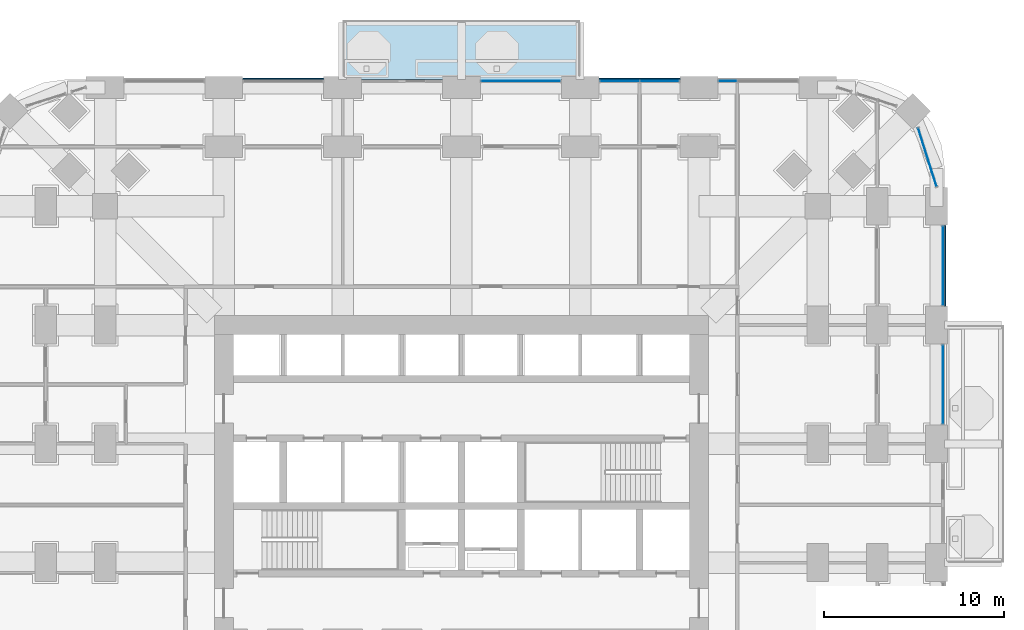
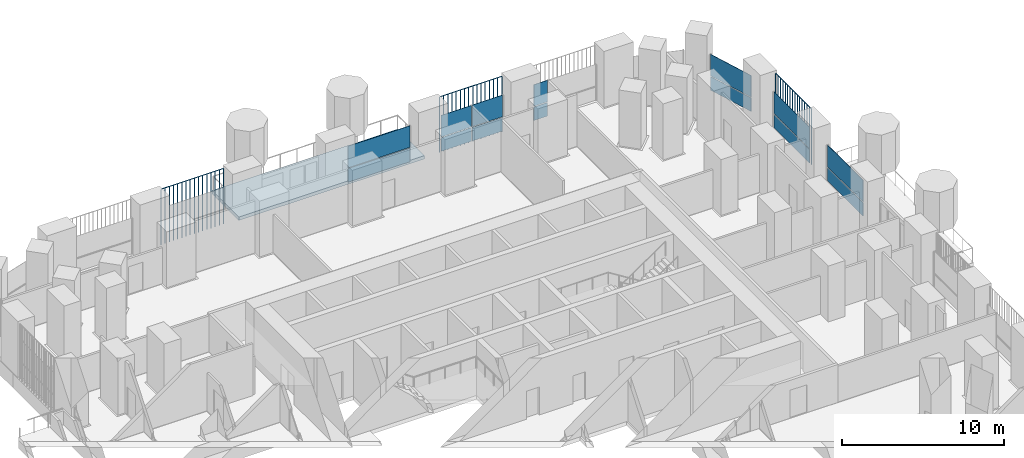
# One storey, part 15 of 26: 17 plates, 1 slab, 6 elements without a shape of their own.
"""IFC4 building model written with IfcOpenShell, lengths in metres."""

from ifc_helpers import new_model, si_unit, direction, frame, origin, origin_2d, place, context, subcontext, project, spatial, polyline, rectangle, outline, extrude, material, layer, layer_set, type_object, element, aggregate, save


model = new_model("IFC4")

# Units and contexts
model_context = context("Model", 3, precision=1e-05, world=origin(), true_north=direction((0.0, 1.0)))
body_context = subcontext(model_context, "Body", "Model", "MODEL_VIEW")
ifc_project = project(units=[si_unit("LENGTHUNIT", "METRE"), si_unit("AREAUNIT", "SQUARE_METRE"), si_unit("VOLUMEUNIT", "CUBIC_METRE"), si_unit("PLANEANGLEUNIT", "RADIAN"), si_unit("MASSUNIT", "GRAM", prefix="KILO")], contexts=[model_context])

# Site, building, storey
site_placement = place(None, origin())
site = spatial("IfcSite", under=ifc_project, at=site_placement, CompositionType="ELEMENT")
building_placement = place(site_placement, origin())
building = spatial("IfcBuilding", under=site, at=building_placement, Name="Cobogo Forest Laboratory Tower", CompositionType="ELEMENT")
storey_placement = place(building_placement, frame((0.0, 0.0, 42.300048828125)))
storey = spatial("IfcBuildingStorey", under=building, at=storey_placement, Name="L09", CompositionType="ELEMENT", Elevation=42.300048828125)

# Slab
ifc_material_1 = material(Name="Concrete HA-40 (C40/50)", Category="concrete")
ifc_layer_1 = layer(ifc_material_1, 0.25)
ifc_layer_set_1 = layer_set([ifc_layer_1], Name="Balcony slab 250")
slab_type = type_object("IfcSlabType", Name="Balcony slab 250", PredefinedType="FLOOR", material=ifc_layer_set_1)
slab_placement = place(storey_placement, frame((0.0, 0.0, -0.25)))
element("IfcSlab", 1, at=slab_placement, inside=storey, type_object=slab_type, Name="Balcony BAL-N1 L09", PredefinedType="FLOOR", context=body_context, shape_type="SweptSolid", body=[
    extrude(outline(polyline([(19.800048828125, 46.64990234375), (33.0, 46.64990234375), (33.0, 49.949951171875), (19.800048828125, 49.949951171875), (19.800048828125, 46.64990234375)])), origin(), (0.0, 0.0, 1.0), 0.25),
])

# Curtain wall, plates
ifc_material_2 = material(Name="Aluminium curtain wall", Category="aluminium")
curtain_wall_type = type_object("IfcCurtainWallType", Name="CW-1 unitised curtain wall, clear glazing, laboratory floors zones A and B", PredefinedType="USERDEFINED", material=ifc_material_2)
curtain_wall_1_placement = place(storey_placement, origin())
curtain_wall_1 = element("IfcCurtainWall", 2, at=curtain_wall_1_placement, inside=storey, type_object=curtain_wall_type, Name="Curtain wall 13 L09", ObjectType="UNITISED CURTAIN WALL", PredefinedType="USERDEFINED")
ifc_material_3 = material(Name="Clear insulated glass", Category="glass")
ifc_layer_2 = layer(ifc_material_3, 0.028076171875)
ifc_layer_set_2 = layer_set([ifc_layer_2], Name="GP-1 clear insulated glass unit 28")
plate_type_1 = type_object("IfcPlateType", Name="GP-1 clear insulated glass unit 28", PredefinedType="CURTAIN_PANEL", material=ifc_layer_set_2)
plate_1_placement = place(storey_placement, frame((53.14990234375, 29.699951171875, 0.0), z_axis=(0.0, 0.0, 1.0), x_axis=(0.0, 1.0, 0.0)))
plate_1 = element("IfcPlate", 3, at=plate_1_placement, type_object=plate_type_1, Name="CW-1 panel 1.1", PredefinedType="CURTAIN_PANEL", context=body_context, shape_type="SweptSolid", body=[
    extrude(rectangle(XDim=4.3798828125, YDim=0.028076171875, at=origin_2d()), origin(), (0.0, 0.0, 1.0), 1.02001953125),
])
plate_2_placement = place(storey_placement, frame((53.14990234375, 29.699951171875, 1.079833984375), z_axis=(0.0, 0.0, 1.0), x_axis=(0.0, 1.0, 0.0)))
plate_2 = element("IfcPlate", 4, at=plate_2_placement, type_object=plate_type_1, Name="CW-1 panel 1.2", PredefinedType="CURTAIN_PANEL", context=body_context, shape_type="SweptSolid", body=[
    extrude(rectangle(XDim=4.3798828125, YDim=0.028076171875, at=origin_2d()), origin(), (0.0, 0.0, 1.0), 1.6201171875),
])
aggregate(curtain_wall_1, [plate_1, plate_2])

curtain_wall_2_placement = place(storey_placement, origin())
curtain_wall_2 = element("IfcCurtainWall", 5, at=curtain_wall_2_placement, inside=storey, type_object=curtain_wall_type, Name="Curtain wall 14 L09", ObjectType="UNITISED CURTAIN WALL", PredefinedType="USERDEFINED")
plate_3_placement = place(storey_placement, frame((53.14990234375, 36.300048828125, 0.0), z_axis=(0.0, 0.0, 1.0), x_axis=(0.0, 1.0, 0.0)))
plate_3 = element("IfcPlate", 6, at=plate_3_placement, type_object=plate_type_1, Name="CW-1 panel 1.1", PredefinedType="CURTAIN_PANEL", context=body_context, shape_type="SweptSolid", body=[
    extrude(rectangle(XDim=4.3798828125, YDim=0.028076171875, at=origin_2d()), origin(), (0.0, 0.0, 1.0), 1.02001953125),
])
plate_4_placement = place(storey_placement, frame((53.14990234375, 36.300048828125, 1.079833984375), z_axis=(0.0, 0.0, 1.0), x_axis=(0.0, 1.0, 0.0)))
plate_4 = element("IfcPlate", 7, at=plate_4_placement, type_object=plate_type_1, Name="CW-1 panel 1.2", PredefinedType="CURTAIN_PANEL", context=body_context, shape_type="SweptSolid", body=[
    extrude(rectangle(XDim=4.3798828125, YDim=0.028076171875, at=origin_2d()), origin(), (0.0, 0.0, 1.0), 1.6201171875),
])
aggregate(curtain_wall_2, [plate_3, plate_4])

curtain_wall_3_placement = place(storey_placement, origin())
curtain_wall_3 = element("IfcCurtainWall", 8, at=curtain_wall_3_placement, inside=storey, type_object=curtain_wall_type, Name="Curtain wall 15 L09", ObjectType="UNITISED CURTAIN WALL", PredefinedType="USERDEFINED")
plate_5_placement = place(storey_placement, frame((52.291015625, 42.320068359375, 0.0), z_axis=(0.0, 0.0, 1.0), x_axis=(-0.30113535792, 0.95358140513, 0.0)))
plate_5 = element("IfcPlate", 9, at=plate_5_placement, type_object=plate_type_1, Name="CW-1 panel 1.1", PredefinedType="CURTAIN_PANEL", context=body_context, shape_type="SweptSolid", body=[
    extrude(rectangle(XDim=3.382568359375, YDim=0.028076171875, at=origin_2d()), origin(), (0.0, 0.0, 1.0), 1.02001953125),
])
plate_6_placement = place(storey_placement, frame((52.291015625, 42.320068359375, 1.079833984375), z_axis=(0.0, 0.0, 1.0), x_axis=(-0.30113535792, 0.95358140513, 0.0)))
plate_6 = element("IfcPlate", 10, at=plate_6_placement, type_object=plate_type_1, Name="CW-1 panel 1.2", PredefinedType="CURTAIN_PANEL", context=body_context, shape_type="SweptSolid", body=[
    extrude(rectangle(XDim=3.382568359375, YDim=0.028076171875, at=origin_2d()), origin(), (0.0, 0.0, 1.0), 1.6201171875),
])
aggregate(curtain_wall_3, [plate_5, plate_6])

curtain_wall_4_placement = place(storey_placement, origin())
curtain_wall_4 = element("IfcCurtainWall", 11, at=curtain_wall_4_placement, inside=storey, type_object=curtain_wall_type, Name="Curtain wall 18 L09", ObjectType="UNITISED CURTAIN WALL", PredefinedType="USERDEFINED")
plate_7_placement = place(storey_placement, frame((41.202392578125, 46.550048828125, 0.0), z_axis=(0.0, 0.0, 1.0), x_axis=(-1.0, 0.0, 0.0)))
plate_7 = element("IfcPlate", 12, at=plate_7_placement, type_object=plate_type_1, Name="CW-1 panel 2.1", PredefinedType="CURTAIN_PANEL", context=body_context, shape_type="SweptSolid", body=[
    extrude(rectangle(XDim=0.985107421875, YDim=0.028076171875, at=origin_2d()), origin(), (0.0, 0.0, 1.0), 1.02001953125),
])
plate_8_placement = place(storey_placement, frame((41.202392578125, 46.550048828125, 1.079833984375), z_axis=(0.0, 0.0, 1.0), x_axis=(-1.0, 0.0, 0.0)))
plate_8 = element("IfcPlate", 13, at=plate_8_placement, type_object=plate_type_1, Name="CW-1 panel 2.2", PredefinedType="CURTAIN_PANEL", context=body_context, shape_type="SweptSolid", body=[
    extrude(rectangle(XDim=0.985107421875, YDim=0.028076171875, at=origin_2d()), origin(), (0.0, 0.0, 1.0), 1.6201171875),
])
aggregate(curtain_wall_4, [plate_7, plate_8])

curtain_wall_5_placement = place(storey_placement, origin())
curtain_wall_5 = element("IfcCurtainWall", 14, at=curtain_wall_5_placement, inside=storey, type_object=curtain_wall_type, Name="Curtain wall 19 L09", ObjectType="UNITISED CURTAIN WALL", PredefinedType="USERDEFINED")
plate_9_placement = place(storey_placement, frame((37.409912109375, 46.550048828125, 0.0), z_axis=(0.0, 0.0, 1.0), x_axis=(-1.0, 0.0, 0.0)))
plate_9 = element("IfcPlate", 15, at=plate_9_placement, type_object=plate_type_1, Name="CW-1 panel 1.1", PredefinedType="CURTAIN_PANEL", context=body_context, shape_type="SweptSolid", body=[
    extrude(rectangle(XDim=2.159912109375, YDim=0.028076171875, at=origin_2d()), origin(), (0.0, 0.0, 1.0), 1.02001953125),
])
plate_10_placement = place(storey_placement, frame((37.409912109375, 46.550048828125, 1.079833984375), z_axis=(0.0, 0.0, 1.0), x_axis=(-1.0, 0.0, 0.0)))
plate_10 = element("IfcPlate", 16, at=plate_10_placement, type_object=plate_type_1, Name="CW-1 panel 1.2", PredefinedType="CURTAIN_PANEL", context=body_context, shape_type="SweptSolid", body=[
    extrude(rectangle(XDim=2.159912109375, YDim=0.028076171875, at=origin_2d()), origin(), (0.0, 0.0, 1.0), 1.6201171875),
])
plate_11_placement = place(storey_placement, frame((35.18994140625, 46.550048828125, 0.0), z_axis=(0.0, 0.0, 1.0), x_axis=(-1.0, 0.0, 0.0)))
plate_11 = element("IfcPlate", 17, at=plate_11_placement, type_object=plate_type_1, Name="CW-1 panel 2.1", PredefinedType="CURTAIN_PANEL", context=body_context, shape_type="SweptSolid", body=[
    extrude(rectangle(XDim=2.159912109375, YDim=0.028076171875, at=origin_2d()), origin(), (0.0, 0.0, 1.0), 1.02001953125),
])
plate_12_placement = place(storey_placement, frame((35.18994140625, 46.550048828125, 1.079833984375), z_axis=(0.0, 0.0, 1.0), x_axis=(-1.0, 0.0, 0.0)))
plate_12 = element("IfcPlate", 18, at=plate_12_placement, type_object=plate_type_1, Name="CW-1 panel 2.2", PredefinedType="CURTAIN_PANEL", context=body_context, shape_type="SweptSolid", body=[
    extrude(rectangle(XDim=2.159912109375, YDim=0.028076171875, at=origin_2d()), origin(), (0.0, 0.0, 1.0), 1.6201171875),
])
aggregate(curtain_wall_5, [plate_9, plate_10, plate_11, plate_12])

curtain_wall_6_placement = place(storey_placement, origin())
curtain_wall_6 = element("IfcCurtainWall", 19, at=curtain_wall_6_placement, inside=storey, type_object=curtain_wall_type, Name="Curtain wall 20 L09", ObjectType="UNITISED CURTAIN WALL", PredefinedType="USERDEFINED")
plate_13_placement = place(storey_placement, frame((29.699951171875, 46.550048828125, 0.0), z_axis=(0.0, 0.0, 1.0), x_axis=(-1.0, 0.0, 0.0)))
plate_13 = element("IfcPlate", 20, at=plate_13_placement, type_object=plate_type_1, Name="CW-1 panel 1.1", PredefinedType="CURTAIN_PANEL", context=body_context, shape_type="SweptSolid", body=[
    extrude(rectangle(XDim=4.3798828125, YDim=0.028076171875, at=origin_2d()), origin(), (0.0, 0.0, 1.0), 1.02001953125),
])
plate_14_placement = place(storey_placement, frame((29.699951171875, 46.550048828125, 1.079833984375), z_axis=(0.0, 0.0, 1.0), x_axis=(-1.0, 0.0, 0.0)))
plate_14 = element("IfcPlate", 21, at=plate_14_placement, type_object=plate_type_1, Name="CW-1 panel 1.2", PredefinedType="CURTAIN_PANEL", context=body_context, shape_type="SweptSolid", body=[
    extrude(rectangle(XDim=4.3798828125, YDim=0.028076171875, at=origin_2d()), origin(), (0.0, 0.0, 1.0), 1.6201171875),
])
aggregate(curtain_wall_6, [plate_13, plate_14])

# Plates
ifc_material_4 = material(Name="Terracotta", Category="masonry")
plate_type_2 = type_object("IfcPlateType", Name="TB1 terracotta baguette screen", PredefinedType="USERDEFINED", material=ifc_material_4)
plate_15_placement = place(storey_placement, frame((53.27783203125, 34.081298828125, -0.150146484375)))
element("IfcPlate", 22, at=plate_15_placement, inside=storey, type_object=plate_type_2, Name="Baguette screen E5 L09", ObjectType="BAGUETTE SCREEN", PredefinedType="USERDEFINED", context=body_context, shape_type="SweptSolid", body=[
    extrude(outline(polyline([(0.02880859375, 0.011962890625), (0.011962890625, 0.02880859375), (-0.011962890625, 0.02880859375), (-0.02880859375, 0.011962890625), (-0.02880859375, -0.011962890625), (-0.011962890625, -0.02880859375), (0.011962890625, -0.02880859375), (0.02880859375, -0.011962890625), (0.02880859375, 0.011962890625)])), frame((0.0, 0.0, 4.168701171875), z_axis=(0.0, 1.0, 0.0), x_axis=(-1.0, 0.0, 0.0)), (0.0, 0.0, 1.0), 4.4375),
    extrude(outline(polyline([(0.02880859375, 0.011962890625), (0.011962890625, 0.02880859375), (-0.011962890625, 0.02880859375), (-0.02880859375, 0.011962890625), (-0.02880859375, -0.011962890625), (-0.011962890625, -0.02880859375), (0.011962890625, -0.02880859375), (0.02880859375, -0.011962890625), (0.02880859375, 0.011962890625)])), origin(), (0.0, 0.0, 1.0), 4.137451171875),
    extrude(outline(polyline([(0.02880859375, 0.011962890625), (0.011962890625, 0.02880859375), (-0.011962890625, 0.02880859375), (-0.02880859375, 0.011962890625), (-0.02880859375, -0.011962890625), (-0.011962890625, -0.02880859375), (0.011962890625, -0.02880859375), (0.02880859375, -0.011962890625), (0.02880859375, 0.011962890625)])), frame((0.0, 0.2958984375, 0.0)), (0.0, 0.0, 1.0), 4.137451171875),
    extrude(outline(polyline([(0.02880859375, 0.011962890625), (0.011962890625, 0.02880859375), (-0.011962890625, 0.02880859375), (-0.02880859375, 0.011962890625), (-0.02880859375, -0.011962890625), (-0.011962890625, -0.02880859375), (0.011962890625, -0.02880859375), (0.02880859375, -0.011962890625), (0.02880859375, 0.011962890625)])), frame((0.0, 0.591552734375, 0.0)), (0.0, 0.0, 1.0), 4.137451171875),
    extrude(outline(polyline([(0.02880859375, 0.011962890625), (0.011962890625, 0.02880859375), (-0.011962890625, 0.02880859375), (-0.02880859375, 0.011962890625), (-0.02880859375, -0.011962890625), (-0.011962890625, -0.02880859375), (0.011962890625, -0.02880859375), (0.02880859375, -0.011962890625), (0.02880859375, 0.011962890625)])), frame((0.0, 0.887451171875, 0.0)), (0.0, 0.0, 1.0), 4.137451171875),
    extrude(outline(polyline([(0.02880859375, 0.011962890625), (0.011962890625, 0.02880859375), (-0.011962890625, 0.02880859375), (-0.02880859375, 0.011962890625), (-0.02880859375, -0.011962890625), (-0.011962890625, -0.02880859375), (0.011962890625, -0.02880859375), (0.02880859375, -0.011962890625), (0.02880859375, 0.011962890625)])), frame((0.0, 1.183349609375, 0.0)), (0.0, 0.0, 1.0), 4.137451171875),
    extrude(outline(polyline([(0.02880859375, 0.011962890625), (0.011962890625, 0.02880859375), (-0.011962890625, 0.02880859375), (-0.02880859375, 0.011962890625), (-0.02880859375, -0.011962890625), (-0.011962890625, -0.02880859375), (0.011962890625, -0.02880859375), (0.02880859375, -0.011962890625), (0.02880859375, 0.011962890625)])), frame((0.0, 1.479248046875, 0.0)), (0.0, 0.0, 1.0), 4.137451171875),
    extrude(outline(polyline([(0.02880859375, 0.011962890625), (0.011962890625, 0.02880859375), (-0.011962890625, 0.02880859375), (-0.02880859375, 0.011962890625), (-0.02880859375, -0.011962890625), (-0.011962890625, -0.02880859375), (0.011962890625, -0.02880859375), (0.02880859375, -0.011962890625), (0.02880859375, 0.011962890625)])), frame((0.0, 1.77490234375, 0.0)), (0.0, 0.0, 1.0), 4.137451171875),
    extrude(outline(polyline([(0.02880859375, 0.011962890625), (0.011962890625, 0.02880859375), (-0.011962890625, 0.02880859375), (-0.02880859375, 0.011962890625), (-0.02880859375, -0.011962890625), (-0.011962890625, -0.02880859375), (0.011962890625, -0.02880859375), (0.02880859375, -0.011962890625), (0.02880859375, 0.011962890625)])), frame((0.0, 2.07080078125, 0.0)), (0.0, 0.0, 1.0), 4.137451171875),
    extrude(outline(polyline([(0.02880859375, 0.011962890625), (0.011962890625, 0.02880859375), (-0.011962890625, 0.02880859375), (-0.02880859375, 0.011962890625), (-0.02880859375, -0.011962890625), (-0.011962890625, -0.02880859375), (0.011962890625, -0.02880859375), (0.02880859375, -0.011962890625), (0.02880859375, 0.011962890625)])), frame((0.0, 2.36669921875, 0.0)), (0.0, 0.0, 1.0), 4.137451171875),
    extrude(outline(polyline([(0.02880859375, 0.011962890625), (0.011962890625, 0.02880859375), (-0.011962890625, 0.02880859375), (-0.02880859375, 0.011962890625), (-0.02880859375, -0.011962890625), (-0.011962890625, -0.02880859375), (0.011962890625, -0.02880859375), (0.02880859375, -0.011962890625), (0.02880859375, 0.011962890625)])), frame((0.0, 2.66259765625, 0.0)), (0.0, 0.0, 1.0), 4.137451171875),
    extrude(outline(polyline([(0.02880859375, 0.011962890625), (0.011962890625, 0.02880859375), (-0.011962890625, 0.02880859375), (-0.02880859375, 0.011962890625), (-0.02880859375, -0.011962890625), (-0.011962890625, -0.02880859375), (0.011962890625, -0.02880859375), (0.02880859375, -0.011962890625), (0.02880859375, 0.011962890625)])), frame((0.0, 2.958251953125, 0.0)), (0.0, 0.0, 1.0), 4.137451171875),
    extrude(outline(polyline([(0.02880859375, 0.011962890625), (0.011962890625, 0.02880859375), (-0.011962890625, 0.02880859375), (-0.02880859375, 0.011962890625), (-0.02880859375, -0.011962890625), (-0.011962890625, -0.02880859375), (0.011962890625, -0.02880859375), (0.02880859375, -0.011962890625), (0.02880859375, 0.011962890625)])), frame((0.0, 3.254150390625, 0.0)), (0.0, 0.0, 1.0), 4.137451171875),
    extrude(outline(polyline([(0.02880859375, 0.011962890625), (0.011962890625, 0.02880859375), (-0.011962890625, 0.02880859375), (-0.02880859375, 0.011962890625), (-0.02880859375, -0.011962890625), (-0.011962890625, -0.02880859375), (0.011962890625, -0.02880859375), (0.02880859375, -0.011962890625), (0.02880859375, 0.011962890625)])), frame((0.0, 3.550048828125, 0.0)), (0.0, 0.0, 1.0), 4.137451171875),
    extrude(outline(polyline([(0.02880859375, 0.011962890625), (0.011962890625, 0.02880859375), (-0.011962890625, 0.02880859375), (-0.02880859375, 0.011962890625), (-0.02880859375, -0.011962890625), (-0.011962890625, -0.02880859375), (0.011962890625, -0.02880859375), (0.02880859375, -0.011962890625), (0.02880859375, 0.011962890625)])), frame((0.0, 3.845947265625, 0.0)), (0.0, 0.0, 1.0), 4.137451171875),
    extrude(outline(polyline([(0.02880859375, 0.011962890625), (0.011962890625, 0.02880859375), (-0.011962890625, 0.02880859375), (-0.02880859375, 0.011962890625), (-0.02880859375, -0.011962890625), (-0.011962890625, -0.02880859375), (0.011962890625, -0.02880859375), (0.02880859375, -0.011962890625), (0.02880859375, 0.011962890625)])), frame((0.0, 4.1416015625, 0.0)), (0.0, 0.0, 1.0), 4.137451171875),
    extrude(outline(polyline([(0.02880859375, 0.011962890625), (0.011962890625, 0.02880859375), (-0.011962890625, 0.02880859375), (-0.02880859375, 0.011962890625), (-0.02880859375, -0.011962890625), (-0.011962890625, -0.02880859375), (0.011962890625, -0.02880859375), (0.02880859375, -0.011962890625), (0.02880859375, 0.011962890625)])), frame((0.0, 4.4375, 0.0)), (0.0, 0.0, 1.0), 4.137451171875),
])
plate_16_placement = place(storey_placement, frame((14.28125, 46.677978515625, -0.150146484375)))
element("IfcPlate", 23, at=plate_16_placement, inside=storey, type_object=plate_type_2, Name="Baguette screen N2 L09", ObjectType="BAGUETTE SCREEN", PredefinedType="USERDEFINED", context=body_context, shape_type="SweptSolid", body=[
    extrude(outline(polyline([(0.02880859375, 0.011962890625), (0.011962890625, 0.02880859375), (-0.011962890625, 0.02880859375), (-0.02880859375, 0.011962890625), (-0.02880859375, -0.011962890625), (-0.011962890625, -0.02880859375), (0.011962890625, -0.02880859375), (0.02880859375, -0.011962890625), (0.02880859375, 0.011962890625)])), frame((0.0, 0.0, 4.168701171875), z_axis=(1.0, 0.0, 0.0), x_axis=(0.0, 1.0, 0.0)), (0.0, 0.0, 1.0), 4.4375),
    extrude(outline(polyline([(0.02880859375, 0.011962890625), (0.011962890625, 0.02880859375), (-0.011962890625, 0.02880859375), (-0.02880859375, 0.011962890625), (-0.02880859375, -0.011962890625), (-0.011962890625, -0.02880859375), (0.011962890625, -0.02880859375), (0.02880859375, -0.011962890625), (0.02880859375, 0.011962890625)])), origin(), (0.0, 0.0, 1.0), 4.137451171875),
    extrude(outline(polyline([(0.02880859375, 0.011962890625), (0.011962890625, 0.02880859375), (-0.011962890625, 0.02880859375), (-0.02880859375, 0.011962890625), (-0.02880859375, -0.011962890625), (-0.011962890625, -0.02880859375), (0.011962890625, -0.02880859375), (0.02880859375, -0.011962890625), (0.02880859375, 0.011962890625)])), frame((0.2958984375, 0.0, 0.0)), (0.0, 0.0, 1.0), 4.137451171875),
    extrude(outline(polyline([(0.02880859375, 0.011962890625), (0.011962890625, 0.02880859375), (-0.011962890625, 0.02880859375), (-0.02880859375, 0.011962890625), (-0.02880859375, -0.011962890625), (-0.011962890625, -0.02880859375), (0.011962890625, -0.02880859375), (0.02880859375, -0.011962890625), (0.02880859375, 0.011962890625)])), frame((0.591552734375, 0.0, 0.0)), (0.0, 0.0, 1.0), 4.137451171875),
    extrude(outline(polyline([(0.02880859375, 0.011962890625), (0.011962890625, 0.02880859375), (-0.011962890625, 0.02880859375), (-0.02880859375, 0.011962890625), (-0.02880859375, -0.011962890625), (-0.011962890625, -0.02880859375), (0.011962890625, -0.02880859375), (0.02880859375, -0.011962890625), (0.02880859375, 0.011962890625)])), frame((0.887451171875, 0.0, 0.0)), (0.0, 0.0, 1.0), 4.137451171875),
    extrude(outline(polyline([(0.02880859375, 0.011962890625), (0.011962890625, 0.02880859375), (-0.011962890625, 0.02880859375), (-0.02880859375, 0.011962890625), (-0.02880859375, -0.011962890625), (-0.011962890625, -0.02880859375), (0.011962890625, -0.02880859375), (0.02880859375, -0.011962890625), (0.02880859375, 0.011962890625)])), frame((1.183349609375, 0.0, 0.0)), (0.0, 0.0, 1.0), 4.137451171875),
    extrude(outline(polyline([(0.02880859375, 0.011962890625), (0.011962890625, 0.02880859375), (-0.011962890625, 0.02880859375), (-0.02880859375, 0.011962890625), (-0.02880859375, -0.011962890625), (-0.011962890625, -0.02880859375), (0.011962890625, -0.02880859375), (0.02880859375, -0.011962890625), (0.02880859375, 0.011962890625)])), frame((1.479248046875, 0.0, 0.0)), (0.0, 0.0, 1.0), 4.137451171875),
    extrude(outline(polyline([(0.02880859375, 0.011962890625), (0.011962890625, 0.02880859375), (-0.011962890625, 0.02880859375), (-0.02880859375, 0.011962890625), (-0.02880859375, -0.011962890625), (-0.011962890625, -0.02880859375), (0.011962890625, -0.02880859375), (0.02880859375, -0.011962890625), (0.02880859375, 0.011962890625)])), frame((1.77490234375, 0.0, 0.0)), (0.0, 0.0, 1.0), 4.137451171875),
    extrude(outline(polyline([(0.02880859375, 0.011962890625), (0.011962890625, 0.02880859375), (-0.011962890625, 0.02880859375), (-0.02880859375, 0.011962890625), (-0.02880859375, -0.011962890625), (-0.011962890625, -0.02880859375), (0.011962890625, -0.02880859375), (0.02880859375, -0.011962890625), (0.02880859375, 0.011962890625)])), frame((2.07080078125, 0.0, 0.0)), (0.0, 0.0, 1.0), 4.137451171875),
    extrude(outline(polyline([(0.02880859375, 0.011962890625), (0.011962890625, 0.02880859375), (-0.011962890625, 0.02880859375), (-0.02880859375, 0.011962890625), (-0.02880859375, -0.011962890625), (-0.011962890625, -0.02880859375), (0.011962890625, -0.02880859375), (0.02880859375, -0.011962890625), (0.02880859375, 0.011962890625)])), frame((2.36669921875, 0.0, 0.0)), (0.0, 0.0, 1.0), 4.137451171875),
    extrude(outline(polyline([(0.02880859375, 0.011962890625), (0.011962890625, 0.02880859375), (-0.011962890625, 0.02880859375), (-0.02880859375, 0.011962890625), (-0.02880859375, -0.011962890625), (-0.011962890625, -0.02880859375), (0.011962890625, -0.02880859375), (0.02880859375, -0.011962890625), (0.02880859375, 0.011962890625)])), frame((2.66259765625, 0.0, 0.0)), (0.0, 0.0, 1.0), 4.137451171875),
    extrude(outline(polyline([(0.02880859375, 0.011962890625), (0.011962890625, 0.02880859375), (-0.011962890625, 0.02880859375), (-0.02880859375, 0.011962890625), (-0.02880859375, -0.011962890625), (-0.011962890625, -0.02880859375), (0.011962890625, -0.02880859375), (0.02880859375, -0.011962890625), (0.02880859375, 0.011962890625)])), frame((2.958251953125, 0.0, 0.0)), (0.0, 0.0, 1.0), 4.137451171875),
    extrude(outline(polyline([(0.02880859375, 0.011962890625), (0.011962890625, 0.02880859375), (-0.011962890625, 0.02880859375), (-0.02880859375, 0.011962890625), (-0.02880859375, -0.011962890625), (-0.011962890625, -0.02880859375), (0.011962890625, -0.02880859375), (0.02880859375, -0.011962890625), (0.02880859375, 0.011962890625)])), frame((3.254150390625, 0.0, 0.0)), (0.0, 0.0, 1.0), 4.137451171875),
    extrude(outline(polyline([(0.02880859375, 0.011962890625), (0.011962890625, 0.02880859375), (-0.011962890625, 0.02880859375), (-0.02880859375, 0.011962890625), (-0.02880859375, -0.011962890625), (-0.011962890625, -0.02880859375), (0.011962890625, -0.02880859375), (0.02880859375, -0.011962890625), (0.02880859375, 0.011962890625)])), frame((3.550048828125, 0.0, 0.0)), (0.0, 0.0, 1.0), 4.137451171875),
    extrude(outline(polyline([(0.02880859375, 0.011962890625), (0.011962890625, 0.02880859375), (-0.011962890625, 0.02880859375), (-0.02880859375, 0.011962890625), (-0.02880859375, -0.011962890625), (-0.011962890625, -0.02880859375), (0.011962890625, -0.02880859375), (0.02880859375, -0.011962890625), (0.02880859375, 0.011962890625)])), frame((3.845947265625, 0.0, 0.0)), (0.0, 0.0, 1.0), 4.137451171875),
    extrude(outline(polyline([(0.02880859375, 0.011962890625), (0.011962890625, 0.02880859375), (-0.011962890625, 0.02880859375), (-0.02880859375, 0.011962890625), (-0.02880859375, -0.011962890625), (-0.011962890625, -0.02880859375), (0.011962890625, -0.02880859375), (0.02880859375, -0.011962890625), (0.02880859375, 0.011962890625)])), frame((4.1416015625, 0.0, 0.0)), (0.0, 0.0, 1.0), 4.137451171875),
    extrude(outline(polyline([(0.02880859375, 0.011962890625), (0.011962890625, 0.02880859375), (-0.011962890625, 0.02880859375), (-0.02880859375, 0.011962890625), (-0.02880859375, -0.011962890625), (-0.011962890625, -0.02880859375), (0.011962890625, -0.02880859375), (0.02880859375, -0.011962890625), (0.02880859375, 0.011962890625)])), frame((4.4375, 0.0, 0.0)), (0.0, 0.0, 1.0), 4.137451171875),
])
plate_17_placement = place(storey_placement, frame((34.081298828125, 46.677978515625, -0.150146484375)))
element("IfcPlate", 24, at=plate_17_placement, inside=storey, type_object=plate_type_2, Name="Baguette screen N5 L09", ObjectType="BAGUETTE SCREEN", PredefinedType="USERDEFINED", context=body_context, shape_type="SweptSolid", body=[
    extrude(outline(polyline([(0.02880859375, 0.011962890625), (0.011962890625, 0.02880859375), (-0.011962890625, 0.02880859375), (-0.02880859375, 0.011962890625), (-0.02880859375, -0.011962890625), (-0.011962890625, -0.02880859375), (0.011962890625, -0.02880859375), (0.02880859375, -0.011962890625), (0.02880859375, 0.011962890625)])), frame((0.0, 0.0, 4.168701171875), z_axis=(1.0, 0.0, 0.0), x_axis=(0.0, 1.0, 0.0)), (0.0, 0.0, 1.0), 4.4375),
    extrude(outline(polyline([(0.02880859375, 0.011962890625), (0.011962890625, 0.02880859375), (-0.011962890625, 0.02880859375), (-0.02880859375, 0.011962890625), (-0.02880859375, -0.011962890625), (-0.011962890625, -0.02880859375), (0.011962890625, -0.02880859375), (0.02880859375, -0.011962890625), (0.02880859375, 0.011962890625)])), origin(), (0.0, 0.0, 1.0), 4.137451171875),
    extrude(outline(polyline([(0.02880859375, 0.011962890625), (0.011962890625, 0.02880859375), (-0.011962890625, 0.02880859375), (-0.02880859375, 0.011962890625), (-0.02880859375, -0.011962890625), (-0.011962890625, -0.02880859375), (0.011962890625, -0.02880859375), (0.02880859375, -0.011962890625), (0.02880859375, 0.011962890625)])), frame((0.2958984375, 0.0, 0.0)), (0.0, 0.0, 1.0), 4.137451171875),
    extrude(outline(polyline([(0.02880859375, 0.011962890625), (0.011962890625, 0.02880859375), (-0.011962890625, 0.02880859375), (-0.02880859375, 0.011962890625), (-0.02880859375, -0.011962890625), (-0.011962890625, -0.02880859375), (0.011962890625, -0.02880859375), (0.02880859375, -0.011962890625), (0.02880859375, 0.011962890625)])), frame((0.591552734375, 0.0, 0.0)), (0.0, 0.0, 1.0), 4.137451171875),
    extrude(outline(polyline([(0.02880859375, 0.011962890625), (0.011962890625, 0.02880859375), (-0.011962890625, 0.02880859375), (-0.02880859375, 0.011962890625), (-0.02880859375, -0.011962890625), (-0.011962890625, -0.02880859375), (0.011962890625, -0.02880859375), (0.02880859375, -0.011962890625), (0.02880859375, 0.011962890625)])), frame((0.887451171875, 0.0, 0.0)), (0.0, 0.0, 1.0), 4.137451171875),
    extrude(outline(polyline([(0.02880859375, 0.011962890625), (0.011962890625, 0.02880859375), (-0.011962890625, 0.02880859375), (-0.02880859375, 0.011962890625), (-0.02880859375, -0.011962890625), (-0.011962890625, -0.02880859375), (0.011962890625, -0.02880859375), (0.02880859375, -0.011962890625), (0.02880859375, 0.011962890625)])), frame((1.183349609375, 0.0, 0.0)), (0.0, 0.0, 1.0), 4.137451171875),
    extrude(outline(polyline([(0.02880859375, 0.011962890625), (0.011962890625, 0.02880859375), (-0.011962890625, 0.02880859375), (-0.02880859375, 0.011962890625), (-0.02880859375, -0.011962890625), (-0.011962890625, -0.02880859375), (0.011962890625, -0.02880859375), (0.02880859375, -0.011962890625), (0.02880859375, 0.011962890625)])), frame((1.479248046875, 0.0, 0.0)), (0.0, 0.0, 1.0), 4.137451171875),
    extrude(outline(polyline([(0.02880859375, 0.011962890625), (0.011962890625, 0.02880859375), (-0.011962890625, 0.02880859375), (-0.02880859375, 0.011962890625), (-0.02880859375, -0.011962890625), (-0.011962890625, -0.02880859375), (0.011962890625, -0.02880859375), (0.02880859375, -0.011962890625), (0.02880859375, 0.011962890625)])), frame((1.77490234375, 0.0, 0.0)), (0.0, 0.0, 1.0), 4.137451171875),
    extrude(outline(polyline([(0.02880859375, 0.011962890625), (0.011962890625, 0.02880859375), (-0.011962890625, 0.02880859375), (-0.02880859375, 0.011962890625), (-0.02880859375, -0.011962890625), (-0.011962890625, -0.02880859375), (0.011962890625, -0.02880859375), (0.02880859375, -0.011962890625), (0.02880859375, 0.011962890625)])), frame((2.07080078125, 0.0, 0.0)), (0.0, 0.0, 1.0), 4.137451171875),
    extrude(outline(polyline([(0.02880859375, 0.011962890625), (0.011962890625, 0.02880859375), (-0.011962890625, 0.02880859375), (-0.02880859375, 0.011962890625), (-0.02880859375, -0.011962890625), (-0.011962890625, -0.02880859375), (0.011962890625, -0.02880859375), (0.02880859375, -0.011962890625), (0.02880859375, 0.011962890625)])), frame((2.36669921875, 0.0, 0.0)), (0.0, 0.0, 1.0), 4.137451171875),
    extrude(outline(polyline([(0.02880859375, 0.011962890625), (0.011962890625, 0.02880859375), (-0.011962890625, 0.02880859375), (-0.02880859375, 0.011962890625), (-0.02880859375, -0.011962890625), (-0.011962890625, -0.02880859375), (0.011962890625, -0.02880859375), (0.02880859375, -0.011962890625), (0.02880859375, 0.011962890625)])), frame((2.66259765625, 0.0, 0.0)), (0.0, 0.0, 1.0), 4.137451171875),
    extrude(outline(polyline([(0.02880859375, 0.011962890625), (0.011962890625, 0.02880859375), (-0.011962890625, 0.02880859375), (-0.02880859375, 0.011962890625), (-0.02880859375, -0.011962890625), (-0.011962890625, -0.02880859375), (0.011962890625, -0.02880859375), (0.02880859375, -0.011962890625), (0.02880859375, 0.011962890625)])), frame((2.958251953125, 0.0, 0.0)), (0.0, 0.0, 1.0), 4.137451171875),
    extrude(outline(polyline([(0.02880859375, 0.011962890625), (0.011962890625, 0.02880859375), (-0.011962890625, 0.02880859375), (-0.02880859375, 0.011962890625), (-0.02880859375, -0.011962890625), (-0.011962890625, -0.02880859375), (0.011962890625, -0.02880859375), (0.02880859375, -0.011962890625), (0.02880859375, 0.011962890625)])), frame((3.254150390625, 0.0, 0.0)), (0.0, 0.0, 1.0), 4.137451171875),
    extrude(outline(polyline([(0.02880859375, 0.011962890625), (0.011962890625, 0.02880859375), (-0.011962890625, 0.02880859375), (-0.02880859375, 0.011962890625), (-0.02880859375, -0.011962890625), (-0.011962890625, -0.02880859375), (0.011962890625, -0.02880859375), (0.02880859375, -0.011962890625), (0.02880859375, 0.011962890625)])), frame((3.550048828125, 0.0, 0.0)), (0.0, 0.0, 1.0), 4.137451171875),
    extrude(outline(polyline([(0.02880859375, 0.011962890625), (0.011962890625, 0.02880859375), (-0.011962890625, 0.02880859375), (-0.02880859375, 0.011962890625), (-0.02880859375, -0.011962890625), (-0.011962890625, -0.02880859375), (0.011962890625, -0.02880859375), (0.02880859375, -0.011962890625), (0.02880859375, 0.011962890625)])), frame((3.845947265625, 0.0, 0.0)), (0.0, 0.0, 1.0), 4.137451171875),
    extrude(outline(polyline([(0.02880859375, 0.011962890625), (0.011962890625, 0.02880859375), (-0.011962890625, 0.02880859375), (-0.02880859375, 0.011962890625), (-0.02880859375, -0.011962890625), (-0.011962890625, -0.02880859375), (0.011962890625, -0.02880859375), (0.02880859375, -0.011962890625), (0.02880859375, 0.011962890625)])), frame((4.1416015625, 0.0, 0.0)), (0.0, 0.0, 1.0), 4.137451171875),
    extrude(outline(polyline([(0.02880859375, 0.011962890625), (0.011962890625, 0.02880859375), (-0.011962890625, 0.02880859375), (-0.02880859375, 0.011962890625), (-0.02880859375, -0.011962890625), (-0.011962890625, -0.02880859375), (0.011962890625, -0.02880859375), (0.02880859375, -0.011962890625), (0.02880859375, 0.011962890625)])), frame((4.4375, 0.0, 0.0)), (0.0, 0.0, 1.0), 4.137451171875),
])

save(model, "model.ifc")
